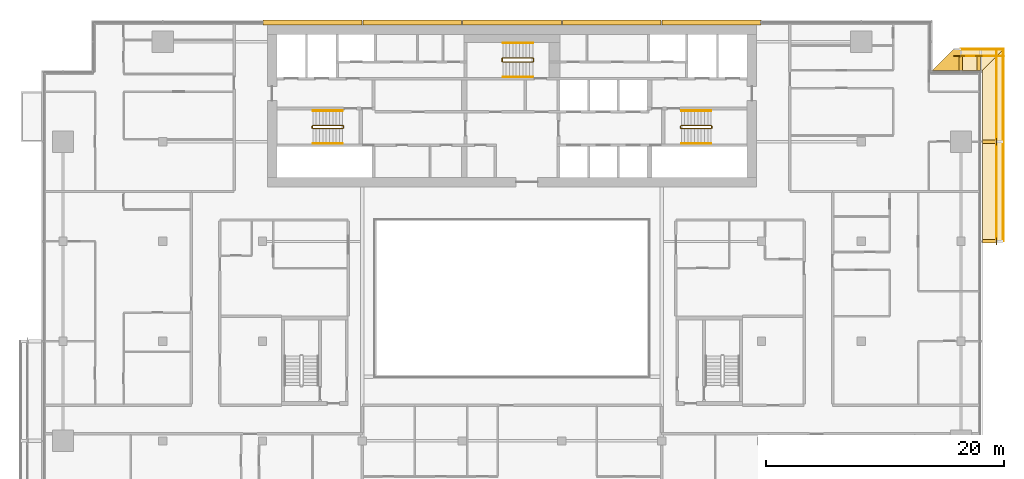
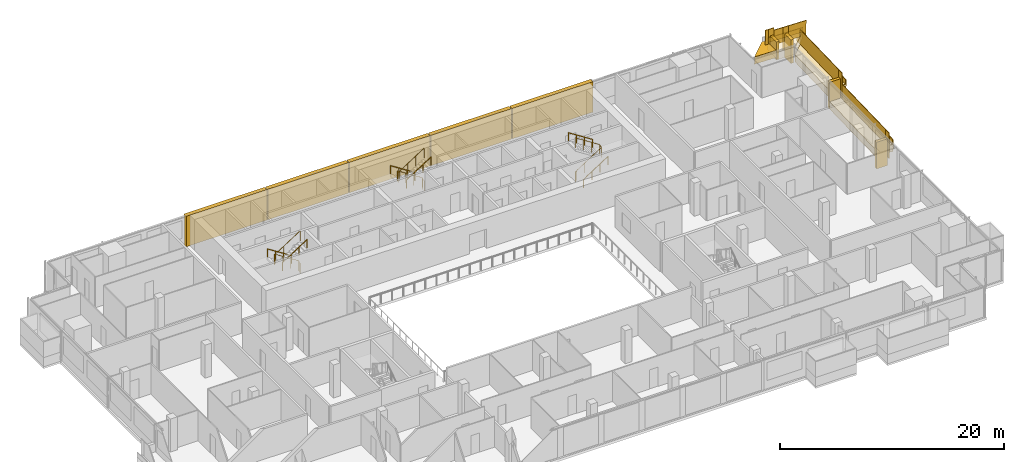
# One storey, part 28 of 30: 17 railings, 16 coverings.
"""IFC4 building model written with IfcOpenShell, lengths in metres."""

from ifc_helpers import new_model, si_unit, direction, frame, origin, origin_2d, place, context, subcontext, project, spatial, polyline, rectangle, circle, outline, extrude, material, layer, layer_set, type_object, element, save


model = new_model("IFC4")

# Units and contexts
model_context = context("Model", 3, precision=1e-05, world=origin(), true_north=direction((0.0, 1.0)))
body_context = subcontext(model_context, "Body", "Model", "MODEL_VIEW")
ifc_project = project(units=[si_unit("LENGTHUNIT", "METRE"), si_unit("AREAUNIT", "SQUARE_METRE"), si_unit("VOLUMEUNIT", "CUBIC_METRE"), si_unit("PLANEANGLEUNIT", "RADIAN"), si_unit("MASSUNIT", "GRAM", prefix="KILO")], contexts=[model_context])

# Site, building, storey
site_placement = place(None, origin())
site = spatial("IfcSite", under=ifc_project, at=site_placement, CompositionType="ELEMENT")
building_placement = place(site_placement, origin())
building = spatial("IfcBuilding", under=site, at=building_placement, Name="Saffron Gate Tower", CompositionType="ELEMENT")
storey_placement = place(building_placement, frame((0.0, 0.0, 165.449951171875)))
storey = spatial("IfcBuildingStorey", under=building, at=storey_placement, Name="L40", CompositionType="ELEMENT", Elevation=165.449951171875)

# Coverings
ifc_material_1 = material(Name="Ceramic-printed bronze insulated panel")
ifc_layer_1 = layer(ifc_material_1, 0.43994140625)
ifc_layer_set_1 = layer_set([ifc_layer_1], Name="CLD3 ceramic-printed cladding panel 440")
covering_type_1 = type_object("IfcCoveringType", Name="CLD3 ceramic-printed cladding panel 440", PredefinedType="CLADDING", material=ifc_layer_set_1)
covering_1_placement = place(storey_placement, origin())
element("IfcCovering", 1, at=covering_1_placement, inside=storey, type_object=covering_type_1, Name="CLADDING ceramic-printed panel", PredefinedType="CLADDING", context=body_context, shape_type="SweptSolid", body=[
    extrude(outline(polyline([(108.56494140625, 75.639892578125), (100.235107421875, 75.639892578125), (100.235107421875, 75.199951171875), (108.56494140625, 75.199951171875), (108.56494140625, 75.639892578125)])), origin(), (0.0, 0.0, 1.0), 3.320068359375),
])
covering_2_placement = place(storey_placement, origin())
element("IfcCovering", 2, at=covering_2_placement, inside=storey, type_object=covering_type_1, Name="CLADDING ceramic-printed panel", PredefinedType="CLADDING", context=body_context, shape_type="SweptSolid", body=[
    extrude(outline(polyline([(100.1650390625, 75.639892578125), (91.8349609375, 75.639892578125), (91.8349609375, 75.199951171875), (100.1650390625, 75.199951171875), (100.1650390625, 75.639892578125)])), origin(), (0.0, 0.0, 1.0), 3.320068359375),
])
covering_3_placement = place(storey_placement, origin())
element("IfcCovering", 3, at=covering_3_placement, inside=storey, type_object=covering_type_1, Name="CLADDING ceramic-printed panel", PredefinedType="CLADDING", context=body_context, shape_type="SweptSolid", body=[
    extrude(outline(polyline([(91.764892578125, 75.639892578125), (83.43505859375, 75.639892578125), (83.43505859375, 75.199951171875), (91.764892578125, 75.199951171875), (91.764892578125, 75.639892578125)])), origin(), (0.0, 0.0, 1.0), 3.320068359375),
])
covering_4_placement = place(storey_placement, origin())
element("IfcCovering", 4, at=covering_4_placement, inside=storey, type_object=covering_type_1, Name="CLADDING ceramic-printed panel", PredefinedType="CLADDING", context=body_context, shape_type="SweptSolid", body=[
    extrude(outline(polyline([(83.364990234375, 75.639892578125), (75.034912109375, 75.639892578125), (75.034912109375, 75.199951171875), (83.364990234375, 75.199951171875), (83.364990234375, 75.639892578125)])), origin(), (0.0, 0.0, 1.0), 3.320068359375),
])
covering_5_placement = place(storey_placement, origin())
element("IfcCovering", 5, at=covering_5_placement, inside=storey, type_object=covering_type_1, Name="CLADDING ceramic-printed panel", PredefinedType="CLADDING", context=body_context, shape_type="SweptSolid", body=[
    extrude(outline(polyline([(74.965087890625, 75.639892578125), (66.635009765625, 75.639892578125), (66.635009765625, 75.199951171875), (74.965087890625, 75.199951171875), (74.965087890625, 75.639892578125)])), origin(), (0.0, 0.0, 1.0), 3.320068359375),
])

# Railings
ifc_material_2 = material(Name="Stainless steel and laminated glass", Category="steel")
railing_type_1 = type_object("IfcRailingType", Name="CR1 Stair guard 1100", PredefinedType="GUARDRAIL", material=ifc_material_2)
railing_1_placement = place(storey_placement, frame((73.39990234375, 66.550048828125, 0.0)))
element("IfcRailing", 6, at=railing_1_placement, inside=storey, type_object=railing_type_1, Name="L40 ST-A stair guard 1", PredefinedType="GUARDRAIL", context=body_context, shape_type="SweptSolid", body=[
    extrude(circle(Radius=0.02392578125, at=origin_2d()), frame((0.0, 0.0, 1.076171875), z_axis=(0.0, 1.0, 0.0), x_axis=(-1.0, 0.0, 0.0)), (0.0, 0.0, 1.0), 0.14990234375),
    extrude(circle(Radius=0.02392578125, at=origin_2d()), frame((0.0, 0.14990234375, 1.076171875), z_axis=(-0.257669022063, 0.258932105505, 0.930892496375), x_axis=(-0.708833529934, -0.705375805398, 0.0)), (0.0, 0.0, 1.0), 0.193359375),
    extrude(circle(Radius=0.02392578125, at=origin_2d()), frame((-0.0498046875, 0.199951171875, 1.255859375), z_axis=(-0.841162588446, 0.0, 0.540782303519), x_axis=(0.0, -1.0, 0.0)), (0.0, 0.0, 1.0), 2.995849609375),
    extrude(circle(Radius=0.02392578125, at=origin_2d()), frame((-2.56982421875, 0.199951171875, 2.8759765625), z_axis=(-0.707106781187, -0.707106781187, 0.0), x_axis=(0.707106781187, -0.707106781187, 0.0)), (0.0, 0.0, 1.0), 0.07080078125),
    extrude(circle(Radius=0.02392578125, at=origin_2d()), frame((-2.619873046875, 0.14990234375, 2.8759765625), z_axis=(0.0, -1.0, 0.0), x_axis=(1.0, 0.0, 0.0)), (0.0, 0.0, 1.0), 0.14990234375),
    extrude(circle(Radius=0.02392578125, at=origin_2d()), frame((-2.619873046875, 0.0, 2.8759765625), z_axis=(0.258847668887, -0.258847668887, 0.930588936439), x_axis=(0.707106781187, 0.707106781187, 0.0)), (0.0, 0.0, 1.0), 0.193359375),
    extrude(circle(Radius=0.02392578125, at=origin_2d()), frame((-2.56982421875, -0.050048828125, 3.05615234375), z_axis=(0.841162588446, 0.0, 0.540782303519), x_axis=(0.0, 1.0, 0.0)), (0.0, 0.0, 1.0), 2.995849609375),
    extrude(circle(Radius=0.02099609375, at=origin_2d()), origin(), (0.0, 0.0, 1.0), 1.052001953125),
    extrude(circle(Radius=0.02099609375, at=origin_2d()), frame((0.0, 0.14990234375, 0.0)), (0.0, 0.0, 1.0), 1.052001953125),
    extrude(circle(Radius=0.02099609375, at=origin_2d()), frame((-0.0498046875, 0.199951171875, 0.179931640625)), (0.0, 0.0, 1.0), 1.052001953125),
    extrude(circle(Radius=0.02099609375, at=origin_2d()), frame((-0.889892578125, 0.199951171875, 0.719970703125)), (0.0, 0.0, 1.0), 1.052001953125),
    extrude(circle(Radius=0.02099609375, at=origin_2d()), frame((-1.729736328125, 0.199951171875, 1.260009765625)), (0.0, 0.0, 1.0), 1.052001953125),
    extrude(circle(Radius=0.02099609375, at=origin_2d()), frame((-2.56982421875, 0.199951171875, 1.800048828125)), (0.0, 0.0, 1.0), 1.052001953125),
    extrude(circle(Radius=0.02099609375, at=origin_2d()), frame((-2.619873046875, 0.14990234375, 1.800048828125)), (0.0, 0.0, 1.0), 1.052001953125),
    extrude(circle(Radius=0.02099609375, at=origin_2d()), frame((-2.619873046875, 0.0, 1.800048828125)), (0.0, 0.0, 1.0), 1.052001953125),
    extrude(circle(Radius=0.02099609375, at=origin_2d()), frame((-2.56982421875, -0.050048828125, 1.97998046875)), (0.0, 0.0, 1.0), 1.052001953125),
    extrude(circle(Radius=0.02099609375, at=origin_2d()), frame((-1.729736328125, -0.050048828125, 2.52001953125)), (0.0, 0.0, 1.0), 1.052001953125),
    extrude(circle(Radius=0.02099609375, at=origin_2d()), frame((-0.889892578125, -0.050048828125, 3.06005859375)), (0.0, 0.0, 1.0), 1.052001953125),
    extrude(circle(Radius=0.02099609375, at=origin_2d()), frame((-0.0498046875, -0.050048828125, 3.60009765625)), (0.0, 0.0, 1.0), 1.052001953125),
])
railing_2_placement = place(storey_placement, frame((101.800048828125, 66.699951171875, 0.0)))
element("IfcRailing", 7, at=railing_2_placement, inside=storey, type_object=railing_type_1, Name="L40 ST-B stair guard 1", PredefinedType="GUARDRAIL", context=body_context, shape_type="SweptSolid", body=[
    extrude(circle(Radius=0.02392578125, at=origin_2d()), frame((0.0, 0.0, 1.076171875), z_axis=(0.0, -1.0, 0.0), x_axis=(1.0, 0.0, 0.0)), (0.0, 0.0, 1.0), 0.14990234375),
    extrude(circle(Radius=0.02392578125, at=origin_2d()), frame((0.0, -0.14990234375, 1.076171875), z_axis=(0.258847668887, -0.258847668887, 0.930588936439), x_axis=(0.707106781187, 0.707106781187, 0.0)), (0.0, 0.0, 1.0), 0.193359375),
    extrude(circle(Radius=0.02392578125, at=origin_2d()), frame((0.050048828125, -0.199951171875, 1.255859375), z_axis=(0.841162588446, 0.0, 0.540782303519), x_axis=(0.0, 1.0, 0.0)), (0.0, 0.0, 1.0), 2.995849609375),
    extrude(circle(Radius=0.02392578125, at=origin_2d()), frame((2.570068359375, -0.199951171875, 2.8759765625), z_axis=(0.705375805398, 0.708833529934, 0.0), x_axis=(-0.708833529934, 0.705375805398, 0.0)), (0.0, 0.0, 1.0), 0.070556640625),
    extrude(circle(Radius=0.02392578125, at=origin_2d()), frame((2.619873046875, -0.14990234375, 2.8759765625), z_axis=(0.0, 1.0, 0.0), x_axis=(-1.0, 0.0, 0.0)), (0.0, 0.0, 1.0), 0.14990234375),
    extrude(circle(Radius=0.02392578125, at=origin_2d()), frame((2.619873046875, 0.0, 2.8759765625), z_axis=(-0.257669022063, 0.258932105505, 0.930892496375), x_axis=(-0.708833529934, -0.705375805398, 0.0)), (0.0, 0.0, 1.0), 0.193359375),
    extrude(circle(Radius=0.02392578125, at=origin_2d()), frame((2.570068359375, 0.050048828125, 3.05615234375), z_axis=(-0.841162588446, 0.0, 0.540782303519), x_axis=(0.0, -1.0, 0.0)), (0.0, 0.0, 1.0), 2.995849609375),
    extrude(circle(Radius=0.02099609375, at=origin_2d()), origin(), (0.0, 0.0, 1.0), 1.052001953125),
    extrude(circle(Radius=0.02099609375, at=origin_2d()), frame((0.0, -0.14990234375, 0.0)), (0.0, 0.0, 1.0), 1.052001953125),
    extrude(circle(Radius=0.02099609375, at=origin_2d()), frame((0.050048828125, -0.199951171875, 0.179931640625)), (0.0, 0.0, 1.0), 1.052001953125),
    extrude(circle(Radius=0.02099609375, at=origin_2d()), frame((0.89013671875, -0.199951171875, 0.719970703125)), (0.0, 0.0, 1.0), 1.052001953125),
    extrude(circle(Radius=0.02099609375, at=origin_2d()), frame((1.72998046875, -0.199951171875, 1.260009765625)), (0.0, 0.0, 1.0), 1.052001953125),
    extrude(circle(Radius=0.02099609375, at=origin_2d()), frame((2.570068359375, -0.199951171875, 1.800048828125)), (0.0, 0.0, 1.0), 1.052001953125),
    extrude(circle(Radius=0.02099609375, at=origin_2d()), frame((2.619873046875, -0.14990234375, 1.800048828125)), (0.0, 0.0, 1.0), 1.052001953125),
    extrude(circle(Radius=0.02099609375, at=origin_2d()), frame((2.619873046875, 0.0, 1.800048828125)), (0.0, 0.0, 1.0), 1.052001953125),
    extrude(circle(Radius=0.02099609375, at=origin_2d()), frame((2.570068359375, 0.050048828125, 1.97998046875)), (0.0, 0.0, 1.0), 1.052001953125),
    extrude(circle(Radius=0.02099609375, at=origin_2d()), frame((1.72998046875, 0.050048828125, 2.52001953125)), (0.0, 0.0, 1.0), 1.052001953125),
    extrude(circle(Radius=0.02099609375, at=origin_2d()), frame((0.89013671875, 0.050048828125, 3.06005859375)), (0.0, 0.0, 1.0), 1.052001953125),
    extrude(circle(Radius=0.02099609375, at=origin_2d()), frame((0.050048828125, 0.050048828125, 3.60009765625)), (0.0, 0.0, 1.0), 1.052001953125),
])
railing_3_placement = place(storey_placement, frame((89.39990234375, 72.14990234375, 0.0)))
element("IfcRailing", 8, at=railing_3_placement, inside=storey, type_object=railing_type_1, Name="L40 ST-C stair guard 1", PredefinedType="GUARDRAIL", context=body_context, shape_type="SweptSolid", body=[
    extrude(circle(Radius=0.02392578125, at=origin_2d()), frame((0.0, 0.0, 1.076171875), z_axis=(0.0, 1.0, 0.0), x_axis=(-1.0, 0.0, 0.0)), (0.0, 0.0, 1.0), 0.25),
    extrude(circle(Radius=0.02392578125, at=origin_2d()), frame((0.0, 0.25, 1.076171875), z_axis=(-0.257669022063, 0.258932105505, 0.930892496375), x_axis=(-0.708833529934, -0.705375805398, 0.0)), (0.0, 0.0, 1.0), 0.193359375),
    extrude(circle(Radius=0.02392578125, at=origin_2d()), frame((-0.0498046875, 0.300048828125, 1.255859375), z_axis=(-0.841162588446, 0.0, 0.540782303519), x_axis=(0.0, -1.0, 0.0)), (0.0, 0.0, 1.0), 2.995849609375),
    extrude(circle(Radius=0.02392578125, at=origin_2d()), frame((-2.56982421875, 0.300048828125, 2.8759765625), z_axis=(-0.707106781187, -0.707106781187, 0.0), x_axis=(0.707106781187, -0.707106781187, 0.0)), (0.0, 0.0, 1.0), 0.07080078125),
    extrude(circle(Radius=0.02392578125, at=origin_2d()), frame((-2.619873046875, 0.25, 2.8759765625), z_axis=(0.0, -1.0, 0.0), x_axis=(1.0, 0.0, 0.0)), (0.0, 0.0, 1.0), 0.25),
    extrude(circle(Radius=0.02392578125, at=origin_2d()), frame((-2.619873046875, 0.0, 2.8759765625), z_axis=(0.258932105505, -0.257669022063, 0.930892496375), x_axis=(0.705375805398, 0.708833529934, 0.0)), (0.0, 0.0, 1.0), 0.193359375),
    extrude(circle(Radius=0.02392578125, at=origin_2d()), frame((-2.56982421875, -0.0498046875, 3.05615234375), z_axis=(0.841162588446, 0.0, 0.540782303519), x_axis=(0.0, 1.0, 0.0)), (0.0, 0.0, 1.0), 2.995849609375),
    extrude(circle(Radius=0.02099609375, at=origin_2d()), origin(), (0.0, 0.0, 1.0), 1.052001953125),
    extrude(circle(Radius=0.02099609375, at=origin_2d()), frame((0.0, 0.25, 0.0)), (0.0, 0.0, 1.0), 1.052001953125),
    extrude(circle(Radius=0.02099609375, at=origin_2d()), frame((-0.0498046875, 0.300048828125, 0.179931640625)), (0.0, 0.0, 1.0), 1.052001953125),
    extrude(circle(Radius=0.02099609375, at=origin_2d()), frame((-0.889892578125, 0.300048828125, 0.719970703125)), (0.0, 0.0, 1.0), 1.052001953125),
    extrude(circle(Radius=0.02099609375, at=origin_2d()), frame((-1.729736328125, 0.300048828125, 1.260009765625)), (0.0, 0.0, 1.0), 1.052001953125),
    extrude(circle(Radius=0.02099609375, at=origin_2d()), frame((-2.56982421875, 0.300048828125, 1.800048828125)), (0.0, 0.0, 1.0), 1.052001953125),
    extrude(circle(Radius=0.02099609375, at=origin_2d()), frame((-2.619873046875, 0.25, 1.800048828125)), (0.0, 0.0, 1.0), 1.052001953125),
    extrude(circle(Radius=0.02099609375, at=origin_2d()), frame((-2.619873046875, 0.0, 1.800048828125)), (0.0, 0.0, 1.0), 1.052001953125),
    extrude(circle(Radius=0.02099609375, at=origin_2d()), frame((-2.56982421875, -0.0498046875, 1.97998046875)), (0.0, 0.0, 1.0), 1.052001953125),
    extrude(circle(Radius=0.02099609375, at=origin_2d()), frame((-1.729736328125, -0.0498046875, 2.52001953125)), (0.0, 0.0, 1.0), 1.052001953125),
    extrude(circle(Radius=0.02099609375, at=origin_2d()), frame((-0.889892578125, -0.0498046875, 3.06005859375)), (0.0, 0.0, 1.0), 1.052001953125),
    extrude(circle(Radius=0.02099609375, at=origin_2d()), frame((-0.0498046875, -0.0498046875, 3.60009765625)), (0.0, 0.0, 1.0), 1.052001953125),
])
ifc_material_3 = material(Name="Stainless steel", Category="steel")
railing_type_2 = type_object("IfcRailingType", Name="CR2 Stair handrail 900", PredefinedType="HANDRAIL", material=ifc_material_3)
railing_4_placement = place(storey_placement, frame((73.35009765625, 68.0, 0.179931640625)))
element("IfcRailing", 9, at=railing_4_placement, inside=storey, type_object=railing_type_2, Name="L40 ST-A stair handrail 1", PredefinedType="HANDRAIL", context=body_context, shape_type="SweptSolid", body=[
    extrude(circle(Radius=0.02392578125, at=origin_2d()), frame((0.0, 0.0, 0.8759765625), z_axis=(-0.841162588446, 0.0, 0.540782303519), x_axis=(0.0, -1.0, 0.0)), (0.0, 0.0, 1.0), 2.995849609375),
    extrude(circle(Radius=0.02099609375, at=origin_2d()), origin(), (0.0, 0.0, 1.0), 0.851806640625),
    extrude(circle(Radius=0.02099609375, at=origin_2d()), frame((-0.840087890625, 0.0, 0.5400390625)), (0.0, 0.0, 1.0), 0.851806640625),
    extrude(circle(Radius=0.02099609375, at=origin_2d()), frame((-1.679931640625, 0.0, 1.080078125)), (0.0, 0.0, 1.0), 0.851806640625),
    extrude(circle(Radius=0.02099609375, at=origin_2d()), frame((-2.52001953125, 0.0, 1.6201171875)), (0.0, 0.0, 1.0), 0.851806640625),
])
for number, where, name in (
    (10, (70.830078125, 65.25, 1.97998046875), "L40 ST-A stair handrail 2"),
    (11, (101.85009765625, 65.25, 0.179931640625), "L40 ST-B stair handrail 1"),
):
    element("IfcRailing", number, at=place(storey_placement, frame(where)), inside=storey, type_object=railing_type_2, Name=name, PredefinedType="HANDRAIL", context=body_context, shape_type="SweptSolid", body=[
        extrude(circle(Radius=0.02392578125, at=origin_2d()), frame((0.0, 0.0, 0.8759765625), z_axis=(0.841162588446, 0.0, 0.540782303519), x_axis=(0.0, 1.0, 0.0)), (0.0, 0.0, 1.0), 2.995849609375),
        extrude(circle(Radius=0.02099609375, at=origin_2d()), origin(), (0.0, 0.0, 1.0), 0.851806640625),
        extrude(circle(Radius=0.02099609375, at=origin_2d()), frame((0.840087890625, 0.0, 0.5400390625)), (0.0, 0.0, 1.0), 0.851806640625),
        extrude(circle(Radius=0.02099609375, at=origin_2d()), frame((1.679931640625, 0.0, 1.080078125)), (0.0, 0.0, 1.0), 0.851806640625),
        extrude(circle(Radius=0.02099609375, at=origin_2d()), frame((2.52001953125, 0.0, 1.6201171875)), (0.0, 0.0, 1.0), 0.851806640625),
    ])
for number, where, name in (
    (12, (104.3701171875, 68.0, 1.97998046875), "L40 ST-B stair handrail 2"),
    (13, (89.35009765625, 73.699951171875, 0.179931640625), "L40 ST-C stair handrail 1"),
):
    element("IfcRailing", number, at=place(storey_placement, frame(where)), inside=storey, type_object=railing_type_2, Name=name, PredefinedType="HANDRAIL", context=body_context, shape_type="SweptSolid", body=[
        extrude(circle(Radius=0.02392578125, at=origin_2d()), frame((0.0, 0.0, 0.8759765625), z_axis=(-0.841162588446, 0.0, 0.540782303519), x_axis=(0.0, -1.0, 0.0)), (0.0, 0.0, 1.0), 2.995849609375),
        extrude(circle(Radius=0.02099609375, at=origin_2d()), origin(), (0.0, 0.0, 1.0), 0.851806640625),
        extrude(circle(Radius=0.02099609375, at=origin_2d()), frame((-0.840087890625, 0.0, 0.5400390625)), (0.0, 0.0, 1.0), 0.851806640625),
        extrude(circle(Radius=0.02099609375, at=origin_2d()), frame((-1.679931640625, 0.0, 1.080078125)), (0.0, 0.0, 1.0), 0.851806640625),
        extrude(circle(Radius=0.02099609375, at=origin_2d()), frame((-2.52001953125, 0.0, 1.6201171875)), (0.0, 0.0, 1.0), 0.851806640625),
    ])
railing_5_placement = place(storey_placement, frame((86.830078125, 70.85009765625, 1.97998046875)))
element("IfcRailing", 14, at=railing_5_placement, inside=storey, type_object=railing_type_2, Name="L40 ST-C stair handrail 2", PredefinedType="HANDRAIL", context=body_context, shape_type="SweptSolid", body=[
    extrude(circle(Radius=0.02392578125, at=origin_2d()), frame((0.0, 0.0, 0.8759765625), z_axis=(0.841162588446, 0.0, 0.540782303519), x_axis=(0.0, 1.0, 0.0)), (0.0, 0.0, 1.0), 2.995849609375),
    extrude(circle(Radius=0.02099609375, at=origin_2d()), origin(), (0.0, 0.0, 1.0), 0.851806640625),
    extrude(circle(Radius=0.02099609375, at=origin_2d()), frame((0.840087890625, 0.0, 0.5400390625)), (0.0, 0.0, 1.0), 0.851806640625),
    extrude(circle(Radius=0.02099609375, at=origin_2d()), frame((1.679931640625, 0.0, 1.080078125)), (0.0, 0.0, 1.0), 0.851806640625),
    extrude(circle(Radius=0.02099609375, at=origin_2d()), frame((2.52001953125, 0.0, 1.6201171875)), (0.0, 0.0, 1.0), 0.851806640625),
])

# Coverings
ifc_material_4 = material(Name="Timber, thermally modified ash", Category="wood")
ifc_layer_2 = layer(ifc_material_4, 0.800048828125)
ifc_layer_set_2 = layer_set([ifc_layer_2], Name="LD1 ledge timber")
covering_type_2 = type_object("IfcCoveringType", Name="LD1 ledge timber", PredefinedType="CLADDING", material=ifc_layer_set_2)
covering_6_placement = place(storey_placement, frame((127.199951171875, 57.0, 0.4140625), z_axis=(0.0, -0.028791175352, 0.999585448184), x_axis=(0.0, 0.999585448184, 0.028791175352)))
element("IfcCovering", 15, at=covering_6_placement, inside=storey, type_object=covering_type_2, Name="LEDGE", PredefinedType="CLADDING", context=body_context, shape_type="SweptSolid", body=[
    extrude(outline(polyline([(0.0, 0.0), (8.403385982666892, 0.0), (8.403385982666892, -1.800048828125), (0.0, -1.800048828125), (0.0, 0.0)])), origin(), (0.0, 0.0, -1.0), 0.800048828125),
])
covering_7_placement = place(storey_placement, frame((127.199951171875, 65.39990234375, 1.8564453125), z_axis=(2.391759e-05, -0.028789477025, 0.999585496814), x_axis=(-1.72e-10, 0.9995854971, 0.028789477033)))
element("IfcCovering", 16, at=covering_7_placement, inside=storey, type_object=covering_type_2, Name="LEDGE", PredefinedType="CLADDING", context=body_context, shape_type="SweptSolid", body=[
    extrude(outline(polyline([(0.0, 0.0), (6.002489288687248, 8.470329472543003e-22), (7.80328207139786, -1.8000488299785034), (-3.0879623774719253e-10, -1.8000488276101398), (0.0, 0.0)])), origin(), (0.0, 0.0, -1.0), 0.800048828125),
])
covering_8_placement = place(storey_placement, frame((127.199951171875, 71.39990234375, 2.88671875), z_axis=(0.028741681402, 0.0, 0.999586872538), x_axis=(-0.999586872538, 0.0, 0.028741681402)))
element("IfcCovering", 17, at=covering_8_placement, inside=storey, type_object=covering_type_2, Name="LEDGE", PredefinedType="CLADDING", context=body_context, shape_type="SweptSolid", body=[
    extrude(outline(polyline([(0.0, 0.0), (1.8007927850779974, 0.0), (1.8007927850779974, -1.800048828125), (-1.8007927850779974, -1.800048828125), (0.0, 0.0)])), origin(), (0.0, 0.0, -1.0), 0.800048828125),
])
covering_9_placement = place(storey_placement, frame((125.39990234375, 71.39990234375, 3.19580078125), z_axis=(0.028798988267, -2.8677152e-05, 0.999585222706), x_axis=(-0.999585223117, -6.17e-10, 0.028798988279)))
element("IfcCovering", 18, at=covering_9_placement, inside=storey, type_object=covering_type_2, Name="LEDGE", PredefinedType="CLADDING", context=body_context, shape_type="SweptSolid", body=[
    extrude(outline(polyline([(0.0, 0.0), (2.400896693585025, 4.235164736271502e-22), (0.6001039103565923, -1.8000488292351675), (-1.1098572600196767e-09, -1.8000488273848385), (0.0, 0.0)])), origin(), (0.0, 0.0, -1.0), 0.800048828125),
])
ifc_layer_3 = layer(ifc_material_4, 0.080078125)
ifc_layer_set_3 = layer_set([ifc_layer_3], Name="LD2 ledge planter trough")
covering_type_3 = type_object("IfcCoveringType", Name="LD2 ledge planter trough", PredefinedType="CLADDING", material=ifc_layer_set_3)
covering_10_placement = place(storey_placement, frame((129.0, 57.0, 0.4140625), z_axis=(1.0, 0.0, 0.0), x_axis=(0.0, 0.999585448184, 0.028791175352)))
element("IfcCovering", 19, at=covering_10_placement, inside=storey, type_object=covering_type_3, Name="LEDGE planter trough", PredefinedType="CLADDING", context=body_context, shape_type="SweptSolid", body=[
    extrude(outline(polyline([(0.0, 0.0), (8.403385982666892, 0.0), (8.417781570342743, 0.49979272409216496), (0.014395587675851172, 0.4997927240921649), (0.0, 0.0)])), origin(), (0.0, 0.0, -1.0), 0.080078125),
])
covering_11_placement = place(storey_placement, frame((129.0, 65.39990234375, 1.8564453125), z_axis=(1.0, 0.0, 0.0), x_axis=(0.0, 0.999585655924, 0.028783962047)))
element("IfcCovering", 20, at=covering_11_placement, inside=storey, type_object=covering_type_3, Name="LEDGE planter trough", PredefinedType="CLADDING", context=body_context, shape_type="SweptSolid", body=[
    extrude(outline(polyline([(0.0, 0.0), (7.803282071825423, 2.7755575615628914e-17), (7.817674052849086, 0.4997928279619612), (0.014391981023662846, 0.4997928279619612), (0.0, 0.0)])), origin(), (0.0, 0.0, -1.0), 0.080078125),
])
covering_12_placement = place(storey_placement, frame((129.0, 73.199951171875, 2.8349609375), z_axis=(0.0, 1.0, 0.0), x_axis=(-0.999586872538, 0.0, 0.028741681402)))
element("IfcCovering", 21, at=covering_12_placement, inside=storey, type_object=covering_type_3, Name="LEDGE planter trough", PredefinedType="CLADDING", context=body_context, shape_type="SweptSolid", body=[
    extrude(outline(polyline([(0.0, 0.0), (3.601585570155995, 0.0), (3.6159564108570694, 0.49979343626896944), (0.014370840701074394, 0.4997934362689694), (0.0, 0.0)])), origin(), (0.0, 0.0, -1.0), 0.080078125),
])
ifc_layer_4 = layer(ifc_material_4, 0.300048828125)
ifc_layer_set_4 = layer_set([ifc_layer_4], Name="LD3 ledge riser fin")
covering_type_4 = type_object("IfcCoveringType", Name="LD3 ledge riser fin", PredefinedType="CLADDING", material=ifc_layer_set_4)
for number, where, z_axis, x_axis, name in (
    (22, (127.760009765625, 57.0, -1.586181640625), (0.0, 0.0, 1.0), (0.0, 1.0, 0.0), "LEDGE riser fin"),
    (23, (127.760009765625, 65.39990234375, -0.143798828125), (0.0, 0.0, 1.0), (0.0, 1.0, 0.0), "LEDGE riser fin"),
):
    element("IfcCovering", number, at=place(storey_placement, frame(where, z_axis=z_axis, x_axis=x_axis)), inside=storey, type_object=covering_type_4, Name=name, PredefinedType="CLADDING", context=body_context, shape_type="SweptSolid", body=[
        extrude(rectangle(XDim=0.300048828125, YDim=1.1201171875, at=origin_2d()), origin(), (0.0, 0.0, 1.0), 2.900390625),
    ])
covering_13_placement = place(storey_placement, frame((126.89990234375, 71.9599609375, 1.2294921875), z_axis=(0.0, 0.0, 1.0), x_axis=(-1.0, 0.0, 0.0)))
element("IfcCovering", 24, at=covering_13_placement, inside=storey, type_object=covering_type_4, Name="LEDGE riser fin", PredefinedType="CLADDING", context=body_context, shape_type="SweptSolid", body=[
    extrude(rectangle(XDim=0.300048828125, YDim=1.1201171875, at=origin_2d()), origin(), (0.0, 0.0, 1.0), 2.557373046875),
])
covering_14_placement = place(storey_placement, frame((125.39990234375, 71.9599609375, 2.138671875), z_axis=(0.0, 0.0, 1.0), x_axis=(-1.0, 0.0, 0.0)))
element("IfcCovering", 25, at=covering_14_placement, inside=storey, type_object=covering_type_4, Name="LEDGE riser fin", PredefinedType="CLADDING", context=body_context, shape_type="SweptSolid", body=[
    extrude(rectangle(XDim=0.300048828125, YDim=1.1201171875, at=origin_2d()), origin(), (0.0, 0.0, 1.0), 1.957275390625),
])

# Railings
railing_type_3 = type_object("IfcRailingType", Name="LG1 ledge balustrade", PredefinedType="BALUSTRADE", material=ifc_material_4)
railing_6_placement = place(storey_placement, frame((128.39990234375, 57.0, 0.4140625)))
element("IfcRailing", 26, at=railing_6_placement, inside=storey, type_object=railing_type_3, Name="LEDGE BALUSTRADE", PredefinedType="BALUSTRADE", context=body_context, shape_type="SweptSolid", body=[
    extrude(rectangle(XDim=0.06005859375, YDim=1.60009765625, at=origin_2d()), frame((0.0, 0.0, 0.800048828125), z_axis=(0.0, 0.999585448184, 0.028791175352), x_axis=(-1.0, 0.0, 0.0)), (0.0, 0.0, 1.0), 8.4033203125),
])
railing_7_placement = place(storey_placement, frame((128.39990234375, 56.699951171875, -0.7861328125)))
element("IfcRailing", 27, at=railing_7_placement, inside=storey, type_object=railing_type_3, Name="LEDGE BALUSTRADE", PredefinedType="BALUSTRADE", context=body_context, shape_type="SweptSolid", body=[
    extrude(rectangle(XDim=0.06005859375, YDim=2.80029296875, at=origin_2d()), frame((0.0, 0.0, 1.400146484375), z_axis=(0.0, 1.0, 0.0), x_axis=(-1.0, 0.0, 0.0)), (0.0, 0.0, 1.0), 0.60009765625),
])
railing_8_placement = place(storey_placement, frame((128.39990234375, 65.39990234375, 1.8564453125)))
element("IfcRailing", 28, at=railing_8_placement, inside=storey, type_object=railing_type_3, Name="LEDGE BALUSTRADE", PredefinedType="BALUSTRADE", context=body_context, shape_type="SweptSolid", body=[
    extrude(rectangle(XDim=0.06005859375, YDim=1.60009765625, at=origin_2d()), frame((0.0, 0.0, 0.800048828125), z_axis=(0.0, 0.999585655924, 0.028783962047), x_axis=(-1.0, 0.0, 0.0)), (0.0, 0.0, 1.0), 7.80322265625),
])
railing_9_placement = place(storey_placement, frame((128.39990234375, 65.10009765625, 0.656005859375)))
element("IfcRailing", 29, at=railing_9_placement, inside=storey, type_object=railing_type_3, Name="LEDGE BALUSTRADE", PredefinedType="BALUSTRADE", context=body_context, shape_type="SweptSolid", body=[
    extrude(rectangle(XDim=0.06005859375, YDim=2.80029296875, at=origin_2d()), frame((0.0, 0.0, 1.400146484375), z_axis=(0.0, 1.0, 0.0), x_axis=(-1.0, 0.0, 0.0)), (0.0, 0.0, 1.0), 0.599853515625),
])
railing_10_placement = place(storey_placement, frame((129.0, 72.60009765625, 2.8349609375)))
element("IfcRailing", 30, at=railing_10_placement, inside=storey, type_object=railing_type_3, Name="LEDGE BALUSTRADE", PredefinedType="BALUSTRADE", context=body_context, shape_type="SweptSolid", body=[
    extrude(rectangle(XDim=0.06005859375, YDim=1.60009765625, at=origin_2d()), frame((0.0, 0.0, 0.800048828125), z_axis=(-0.999586872538, 0.0, 0.028741681402), x_axis=(0.0, -1.0, 0.0)), (0.0, 0.0, 1.0), 3.6015625),
])
railing_11_placement = place(storey_placement, frame((127.199951171875, 72.60009765625, 2.029296875)))
element("IfcRailing", 31, at=railing_11_placement, inside=storey, type_object=railing_type_3, Name="LEDGE BALUSTRADE", PredefinedType="BALUSTRADE", context=body_context, shape_type="SweptSolid", body=[
    extrude(rectangle(XDim=0.06005859375, YDim=2.45751953125, at=origin_2d()), frame((0.0, 0.0, 1.228759765625), z_axis=(-1.0, 0.0, 0.0), x_axis=(0.0, -1.0, 0.0)), (0.0, 0.0, 1.0), 0.599853515625),
])
railing_12_placement = place(storey_placement, frame((125.39990234375, 72.60009765625, 3.19580078125)))
element("IfcRailing", 32, at=railing_12_placement, inside=storey, type_object=railing_type_3, Name="LEDGE BALUSTRADE", PredefinedType="BALUSTRADE", context=body_context, shape_type="SweptSolid", body=[
    extrude(rectangle(XDim=0.06005859375, YDim=1.60009765625, at=origin_2d()), frame((0.0, 0.0, 0.800048828125), z_axis=(-0.999582742162, 0.0, 0.028884971385), x_axis=(0.0, -1.0, 0.0)), (0.0, 0.0, 1.0), 0.60009765625),
])
railing_13_placement = place(storey_placement, frame((125.699951171875, 72.60009765625, 2.9384765625)))
element("IfcRailing", 33, at=railing_13_placement, inside=storey, type_object=railing_type_3, Name="LEDGE BALUSTRADE", PredefinedType="BALUSTRADE", context=body_context, shape_type="SweptSolid", body=[
    extrude(rectangle(XDim=0.06005859375, YDim=1.857177734375, at=origin_2d()), frame((0.0, 0.0, 0.9287109375), z_axis=(-1.0, 0.0, 0.0), x_axis=(0.0, -1.0, 0.0)), (0.0, 0.0, 1.0), 0.599853515625),
])

save(model, "model.ifc")
